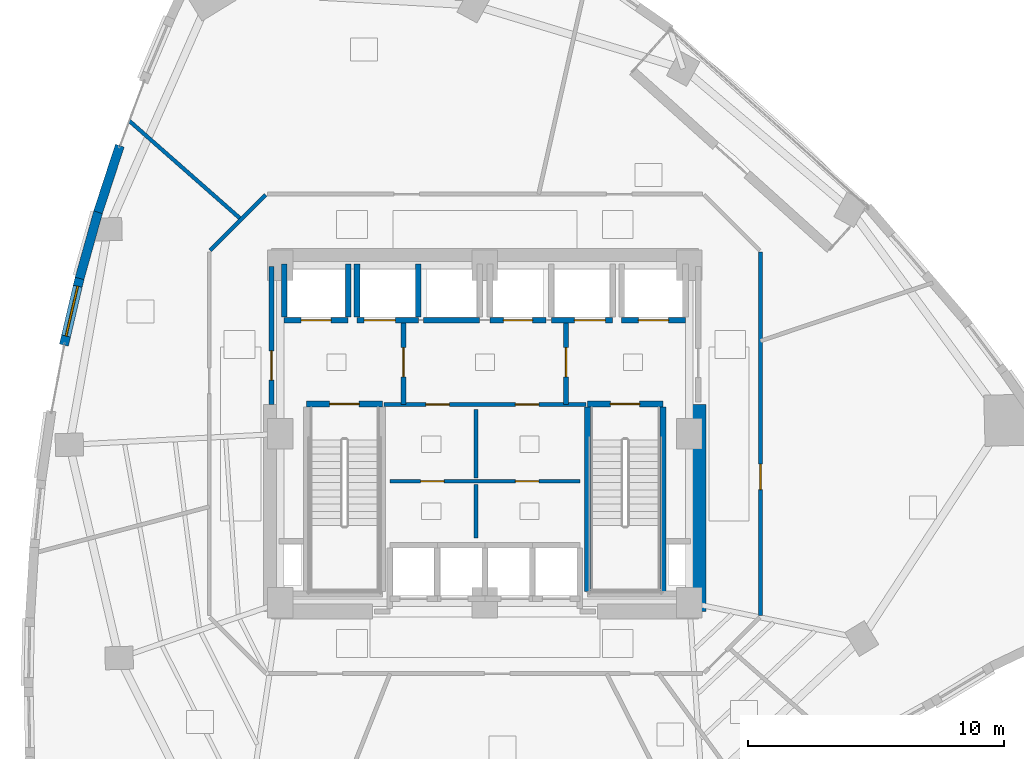
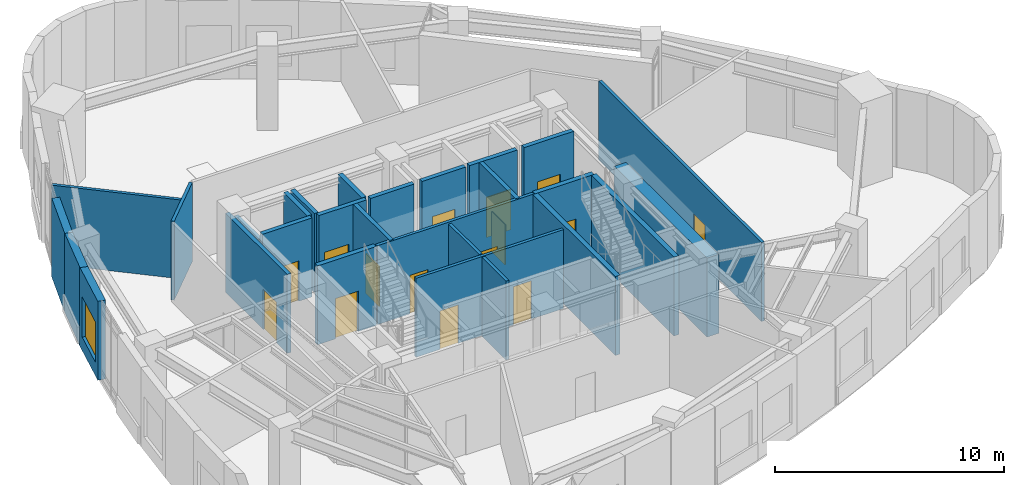
# One storey, part 14 of 19: 28 walls, 15 doors, 1 window, 16 openings.
"""IFC4 building model written with IfcOpenShell, lengths in metres."""

from ifc_helpers import new_model, si_unit, direction, frame, frame_2d, origin, place, context, subcontext, project, spatial, rectangle, extrude, material, layer, layer_set, type_object, element, fill, save


model = new_model("IFC4")

# Units and contexts
model_context = context("Model", 3, precision=1e-05, world=origin(), true_north=direction((0.0, 1.0)))
body_context = subcontext(model_context, "Body", "Model", "MODEL_VIEW")
ifc_project = project(units=[si_unit("LENGTHUNIT", "METRE"), si_unit("AREAUNIT", "SQUARE_METRE"), si_unit("VOLUMEUNIT", "CUBIC_METRE"), si_unit("PLANEANGLEUNIT", "RADIAN"), si_unit("MASSUNIT", "GRAM", prefix="KILO")], contexts=[model_context])

# Site, building, storey
site_placement = place(None, origin())
site = spatial("IfcSite", under=ifc_project, at=site_placement, CompositionType="ELEMENT")
building_placement = place(site_placement, origin())
building = spatial("IfcBuilding", under=site, at=building_placement, Name="Ndelora Gate Hotel", CompositionType="ELEMENT")
storey_placement = place(building_placement, frame((0.0, 0.0, 88.25)))
storey = spatial("IfcBuildingStorey", under=building, at=storey_placement, Name="L21", CompositionType="ELEMENT", Elevation=88.25)

# Walls
ifc_material_1 = material(Name="Clay Brick Masonry", Category="masonry")
ifc_layer_1 = layer(ifc_material_1, 0.360107421875)
ifc_layer_set_1 = layer_set([ifc_layer_1], Name="Clay Brick Masonry")
wall_type_1 = type_object("IfcWallType", Name="WL-BRICK-360", PredefinedType="SOLIDWALL", material=ifc_layer_set_1)
wall_1_placement = place(storey_placement, frame((-15.13330078125, 8.6689453125, 0.0), z_axis=(0.0, 0.0, 1.0), x_axis=(0.310162209331, 0.950683650802, 0.0)))
element("IfcWall", 1, at=wall_1_placement, inside=storey, type_object=wall_type_1, Name="L21 Tower Brick Pier-and-Spandrel Wall TWR-12", PredefinedType="SOLIDWALL", context=body_context, shape_type="SweptSolid", body=[
    extrude(rectangle(XDim=2.743896484375, YDim=0.360107421875, at=frame_2d((1.3720703125, 0.0))), origin(), (0.0, 0.0, 1.0), 4.2099609375),
])
wall_2_placement = place(storey_placement, frame((-15.8564453125, 6.083740234375, 0.0), z_axis=(0.0, 0.0, 1.0), x_axis=(0.269729276569, 0.962936195893, 0.0)))
element("IfcWall", 2, at=wall_2_placement, inside=storey, type_object=wall_type_1, Name="L21 Tower Brick Pier-and-Spandrel Wall TWR-13", PredefinedType="SOLIDWALL", context=body_context, shape_type="SweptSolid", body=[
    extrude(rectangle(XDim=2.734375, YDim=0.360107421875, at=frame_2d((1.3671875, 0.0))), origin(), (0.0, 0.0, 1.0), 4.2099609375),
])

# Wall, opening, window
wall_3_placement = place(storey_placement, frame((-16.468017578125, 3.474853515625, 0.0), z_axis=(0.0, 0.0, 1.0), x_axis=(0.228620535592, 0.973515614002, 0.0)))
wall_3 = element("IfcWall", 3, at=wall_3_placement, inside=storey, type_object=wall_type_1, Name="L21 Tower Brick Pier-and-Spandrel Wall TWR-14", PredefinedType="SOLIDWALL", context=body_context, shape_type="SweptSolid", body=[
    extrude(rectangle(XDim=2.7294921875, YDim=0.360107421875, at=frame_2d((1.36474609375, 0.0))), origin(), (0.0, 0.0, 1.0), 4.2099609375),
])
opening_1_placement = place(wall_3_placement, frame((0.36474609375, 0.0, 0.719970703125)))
opening_1 = element("IfcOpeningElement", 4, at=opening_1_placement, cuts=wall_3, Name="Opening W05", PredefinedType="OPENING", context=body_context, shape_type="SweptSolid", body=[
    extrude(rectangle(XDim=2.0, YDim=2.14990234375, at=frame_2d((1.0, 1.074951171875))), frame((0.0, 0.18994140625, 0.0), z_axis=(0.0, -1.0, 0.0), x_axis=(1.0, 0.0, 0.0)), (0.0, 0.0, 1.0), 0.380126953125),
])
ifc_material_2 = material(Name="Insulated Low-E Double Glazing in Bronze Aluminium Frame", Category="aluminium")
window_type = type_object("IfcWindowType", Name="WN-SKY-2000", PartitioningType="SINGLE_PANEL", PredefinedType="WINDOW", material=ifc_material_2)
window_placement = place(opening_1_placement, origin())
window = element("IfcWindow", 5, at=window_placement, inside=storey, type_object=window_type, Name="L21 Deep-Set Brick-Pier Window W05", OverallHeight=2.14990234375, OverallWidth=2.0, PartitioningType="SINGLE_PANEL", PredefinedType="WINDOW", context=body_context, shape_type="SweptSolid", body=[
    extrude(rectangle(XDim=2.0, YDim=2.14990234375, at=frame_2d((1.0, 1.074951171875))), frame((0.0, 0.030029296875, 0.0), z_axis=(0.0, -1.0, 0.0), x_axis=(1.0, 0.0, 0.0)), (0.0, 0.0, 1.0), 0.06005859375),
])
fill(opening_1, window)

# Wall
ifc_material_3 = material(Name="Concrete C60/75", Category="concrete")
ifc_layer_2 = layer(ifc_material_3, 0.60009765625)
ifc_layer_set_2 = layer_set([ifc_layer_2], Name="Concrete C60/75")
wall_type_2 = type_object("IfcWallType", Name="WL-CORE-600", PredefinedType="SHEAR", material=ifc_layer_set_2)
wall_4_placement = place(storey_placement, frame((8.35009765625, -6.949951171875, 0.0), z_axis=(0.0, 0.0, 1.0), x_axis=(0.0, 1.0, 0.0)))
element("IfcWall", 6, at=wall_4_placement, inside=storey, type_object=wall_type_2, Name="L21 Core Shear Wall E", PredefinedType="SHEAR", context=body_context, shape_type="SweptSolid", body=[
    extrude(rectangle(XDim=8.099853515625, YDim=0.60009765625, at=frame_2d((4.0498046875, 0.0))), origin(), (0.0, 0.0, 1.0), 4.2099609375),
])

# Wall, opening, door
ifc_material_4 = material(Name="Concrete C40/50", Category="concrete")
ifc_layer_3 = layer(ifc_material_4, 0.199951171875)
ifc_layer_set_3 = layer_set([ifc_layer_3], Name="Concrete C40/50")
wall_type_3 = type_object("IfcWallType", Name="WL-FIRE-200", PredefinedType="PARTITIONING", material=ifc_layer_set_3)
wall_5_placement = place(storey_placement, frame((-3.179931640625, 1.14990234375, 0.0), z_axis=(0.0, 0.0, 1.0), x_axis=(0.0, 1.0, 0.0)))
wall_5 = element("IfcWall", 7, at=wall_5_placement, inside=storey, type_object=wall_type_3, Name="L21 Interior Wall IW-2", PredefinedType="PARTITIONING", context=body_context, shape_type="SweptSolid", body=[
    extrude(rectangle(XDim=3.300048828125, YDim=0.199951171875, at=frame_2d((1.64990234375, 0.0))), origin(), (0.0, 0.0, 1.0), 4.2099609375),
])
opening_2_placement = place(wall_5_placement, frame((1.080078125, 0.0, 0.0)))
opening_2 = element("IfcOpeningElement", 8, at=opening_2_placement, cuts=wall_5, Name="Opening FD1", PredefinedType="OPENING", context=body_context, shape_type="SweptSolid", body=[
    extrude(rectangle(XDim=1.14990234375, YDim=2.14990234375, at=frame_2d((0.574951171875, 1.074951171875))), frame((0.0, 0.10986328125, 0.0), z_axis=(0.0, -1.0, 0.0), x_axis=(1.0, 0.0, 0.0)), (0.0, 0.0, 1.0), 0.219970703125),
])
ifc_material_5 = material(Name="Fire-Rated Timber-Veneer Steel Core", Category="steel")
door_type_1 = type_object("IfcDoorType", Name="DR-FD60", OperationType="SINGLE_SWING_LEFT", PredefinedType="DOOR", material=ifc_material_5)
door_1_placement = place(opening_2_placement, origin())
door_1 = element("IfcDoor", 9, at=door_1_placement, inside=storey, type_object=door_type_1, Name="L21 Firefighting Lobby West Door", OperationType="SINGLE_SWING_RIGHT", OverallHeight=2.14990234375, OverallWidth=1.14990234375, PredefinedType="DOOR", context=body_context, shape_type="SweptSolid", body=[
    extrude(rectangle(XDim=1.14990234375, YDim=2.14990234375, at=frame_2d((0.574951171875, 1.074951171875))), frame((0.0, 0.02490234375, 0.0), z_axis=(0.0, -1.0, 0.0), x_axis=(1.0, 0.0, 0.0)), (0.0, 0.0, 1.0), 0.050048828125),
])
fill(opening_2, door_1)

wall_6_placement = place(storey_placement, frame((3.179931640625, 1.14990234375, 0.0), z_axis=(0.0, 0.0, 1.0), x_axis=(0.0, 1.0, 0.0)))
wall_6 = element("IfcWall", 10, at=wall_6_placement, inside=storey, type_object=wall_type_3, Name="L21 Interior Wall IW-2", PredefinedType="PARTITIONING", context=body_context, shape_type="SweptSolid", body=[
    extrude(rectangle(XDim=3.300048828125, YDim=0.199951171875, at=frame_2d((1.64990234375, 0.0))), origin(), (0.0, 0.0, 1.0), 4.2099609375),
])
opening_3_placement = place(wall_6_placement, frame((1.080078125, 0.0, 0.0)))
opening_3 = element("IfcOpeningElement", 11, at=opening_3_placement, cuts=wall_6, Name="Opening FD1", PredefinedType="OPENING", context=body_context, shape_type="SweptSolid", body=[
    extrude(rectangle(XDim=1.14990234375, YDim=2.14990234375, at=frame_2d((0.574951171875, 1.074951171875))), frame((0.0, 0.10986328125, 0.0), z_axis=(0.0, -1.0, 0.0), x_axis=(1.0, 0.0, 0.0)), (0.0, 0.0, 1.0), 0.219970703125),
])
door_2_placement = place(opening_3_placement, origin())
door_2 = element("IfcDoor", 12, at=door_2_placement, inside=storey, type_object=door_type_1, Name="L21 Firefighting Lobby East Door", OperationType="SINGLE_SWING_LEFT", OverallHeight=2.14990234375, OverallWidth=1.14990234375, PredefinedType="DOOR", context=body_context, shape_type="SweptSolid", body=[
    extrude(rectangle(XDim=1.14990234375, YDim=2.14990234375, at=frame_2d((0.574951171875, 1.074951171875))), frame((0.0, 0.02490234375, 0.0), z_axis=(0.0, -1.0, 0.0), x_axis=(1.0, 0.0, 0.0)), (0.0, 0.0, 1.0), 0.050048828125),
])
fill(opening_3, door_2)

wall_7_placement = place(storey_placement, frame((-8.35009765625, 1.14990234375, 0.0), z_axis=(0.0, 0.0, 1.0), x_axis=(0.0, 1.0, 0.0)))
wall_7 = element("IfcWall", 13, at=wall_7_placement, inside=storey, type_object=wall_type_3, Name="L21 Interior Wall IW-2", PredefinedType="PARTITIONING", context=body_context, shape_type="SweptSolid", body=[
    extrude(rectangle(XDim=5.400146484375, YDim=0.199951171875, at=frame_2d((2.7001953125, 0.0))), origin(), (0.0, 0.0, 1.0), 4.2099609375),
])
opening_4_placement = place(wall_7_placement, frame((0.949951171875, 0.0, 0.0)))
opening_4 = element("IfcOpeningElement", 14, at=opening_4_placement, cuts=wall_7, Name="Opening FD1", PredefinedType="OPENING", context=body_context, shape_type="SweptSolid", body=[
    extrude(rectangle(XDim=1.14990234375, YDim=2.14990234375, at=frame_2d((0.574951171875, 1.074951171875))), frame((0.0, 0.10986328125, 0.0), z_axis=(0.0, -1.0, 0.0), x_axis=(1.0, 0.0, 0.0)), (0.0, 0.0, 1.0), 0.219970703125),
])
door_3_placement = place(opening_4_placement, origin())
door_3 = element("IfcDoor", 15, at=door_3_placement, inside=storey, type_object=door_type_1, Name="L21 Firefighting Lobby West Corridor Door", OperationType="SINGLE_SWING_LEFT", OverallHeight=2.14990234375, OverallWidth=1.14990234375, PredefinedType="DOOR", context=body_context, shape_type="SweptSolid", body=[
    extrude(rectangle(XDim=1.14990234375, YDim=2.14990234375, at=frame_2d((0.574951171875, 1.074951171875))), frame((0.0, 0.02490234375, 0.0), z_axis=(0.0, -1.0, 0.0), x_axis=(1.0, 0.0, 0.0)), (0.0, 0.0, 1.0), 0.050048828125),
])
fill(opening_4, door_3)

# Wall, openings, doors
ifc_material_6 = material(Name="Fire-Rated Gypsum Stud Partition", Category="gypsum")
ifc_layer_4 = layer(ifc_material_6, 0.14990234375)
ifc_layer_set_4 = layer_set([ifc_layer_4], Name="Fire-Rated Gypsum Stud Partition")
wall_type_4 = type_object("IfcWallType", Name="WL-PART-150", PredefinedType="PARTITIONING", material=ifc_layer_set_4)
wall_8_placement = place(storey_placement, frame((3.949951171875, 1.14990234375, 0.0), z_axis=(0.0, 0.0, 1.0), x_axis=(-1.0, 0.0, 0.0)))
wall_8 = element("IfcWall", 16, at=wall_8_placement, inside=storey, type_object=wall_type_4, Name="L21 Interior Wall IW-5", PredefinedType="PARTITIONING", context=body_context, shape_type="SweptSolid", body=[
    extrude(rectangle(XDim=7.89990234375, YDim=0.14990234375, at=frame_2d((3.949951171875, 0.0))), origin(), (0.0, 0.0, 1.0), 4.2099609375),
])
opening_5_placement = place(wall_8_placement, frame((5.340087890625, 0.0, 0.0)))
opening_5 = element("IfcOpeningElement", 17, at=opening_5_placement, cuts=wall_8, Name="Opening D04", PredefinedType="OPENING", context=body_context, shape_type="SweptSolid", body=[
    extrude(rectangle(XDim=0.919921875, YDim=2.050048828125, at=frame_2d((0.4599609375, 1.02490234375))), frame((0.0, 0.0849609375, 0.0), z_axis=(0.0, -1.0, 0.0), x_axis=(1.0, 0.0, 0.0)), (0.0, 0.0, 1.0), 0.169921875),
])
opening_6_placement = place(wall_8_placement, frame((1.840087890625, 0.0, 0.0)))
opening_6 = element("IfcOpeningElement", 18, at=opening_6_placement, cuts=wall_8, Name="Opening D04", PredefinedType="OPENING", context=body_context, shape_type="SweptSolid", body=[
    extrude(rectangle(XDim=0.919921875, YDim=2.050048828125, at=frame_2d((0.4599609375, 1.02490234375))), frame((0.0, 0.0849609375, 0.0), z_axis=(0.0, -1.0, 0.0), x_axis=(1.0, 0.0, 0.0)), (0.0, 0.0, 1.0), 0.169921875),
])
ifc_material_7 = material(Name="Painted Steel Core Service Door", Category="steel")
door_type_2 = type_object("IfcDoorType", Name="DR-SER-920", OperationType="SINGLE_SWING_LEFT", PredefinedType="DOOR", material=ifc_material_7)
door_4_placement = place(opening_5_placement, origin())
door_4 = element("IfcDoor", 19, at=door_4_placement, inside=storey, type_object=door_type_2, Name="L21 Core Electrical Closet Door", OperationType="SINGLE_SWING_LEFT", OverallHeight=2.050048828125, OverallWidth=0.919921875, PredefinedType="DOOR", context=body_context, shape_type="SweptSolid", body=[
    extrude(rectangle(XDim=0.919921875, YDim=2.050048828125, at=frame_2d((0.4599609375, 1.02490234375))), frame((0.0, 0.02490234375, 0.0), z_axis=(0.0, -1.0, 0.0), x_axis=(1.0, 0.0, 0.0)), (0.0, 0.0, 1.0), 0.050048828125),
])
fill(opening_5, door_4)
door_5_placement = place(opening_6_placement, origin())
door_5 = element("IfcDoor", 20, at=door_5_placement, inside=storey, type_object=door_type_2, Name="L21 Comms Patching Store Door", OperationType="SINGLE_SWING_RIGHT", OverallHeight=2.050048828125, OverallWidth=0.919921875, PredefinedType="DOOR", context=body_context, shape_type="SweptSolid", body=[
    extrude(rectangle(XDim=0.919921875, YDim=2.050048828125, at=frame_2d((0.4599609375, 1.02490234375))), frame((0.0, 0.02490234375, 0.0), z_axis=(0.0, -1.0, 0.0), x_axis=(1.0, 0.0, 0.0)), (0.0, 0.0, 1.0), 0.050048828125),
])
fill(opening_6, door_5)

wall_9_placement = place(storey_placement, frame((-3.719970703125, -1.85009765625, 0.0), z_axis=(0.0, 0.0, 1.0), x_axis=(1.0, 0.0, 0.0)))
wall_9 = element("IfcWall", 21, at=wall_9_placement, inside=storey, type_object=wall_type_4, Name="L21 Interior Wall IW-5", PredefinedType="PARTITIONING", context=body_context, shape_type="SweptSolid", body=[
    extrude(rectangle(XDim=7.43994140625, YDim=0.14990234375, at=frame_2d((3.719970703125, 0.0))), origin(), (0.0, 0.0, 1.0), 4.2099609375),
])
opening_7_placement = place(wall_9_placement, frame((1.2099609375, 0.0, 0.0)))
opening_7 = element("IfcOpeningElement", 22, at=opening_7_placement, cuts=wall_9, Name="Opening D04", PredefinedType="OPENING", context=body_context, shape_type="SweptSolid", body=[
    extrude(rectangle(XDim=0.919921875, YDim=2.050048828125, at=frame_2d((0.4599609375, 1.02490234375))), frame((0.0, 0.0849609375, 0.0), z_axis=(0.0, -1.0, 0.0), x_axis=(1.0, 0.0, 0.0)), (0.0, 0.0, 1.0), 0.169921875),
])
opening_8_placement = place(wall_9_placement, frame((4.909912109375, 0.0, 0.0)))
opening_8 = element("IfcOpeningElement", 23, at=opening_8_placement, cuts=wall_9, Name="Opening D04", PredefinedType="OPENING", context=body_context, shape_type="SweptSolid", body=[
    extrude(rectangle(XDim=0.919921875, YDim=2.050048828125, at=frame_2d((0.4599609375, 1.02490234375))), frame((0.0, 0.0849609375, 0.0), z_axis=(0.0, -1.0, 0.0), x_axis=(1.0, 0.0, 0.0)), (0.0, 0.0, 1.0), 0.169921875),
])
door_6_placement = place(opening_7_placement, origin())
door_6 = element("IfcDoor", 24, at=door_6_placement, inside=storey, type_object=door_type_2, Name="L21 Core Service Internal Door", OperationType="SINGLE_SWING_LEFT", OverallHeight=2.050048828125, OverallWidth=0.919921875, PredefinedType="DOOR", context=body_context, shape_type="SweptSolid", body=[
    extrude(rectangle(XDim=0.919921875, YDim=2.050048828125, at=frame_2d((0.4599609375, 1.02490234375))), frame((0.0, 0.02490234375, 0.0), z_axis=(0.0, -1.0, 0.0), x_axis=(1.0, 0.0, 0.0)), (0.0, 0.0, 1.0), 0.050048828125),
])
fill(opening_7, door_6)
door_7_placement = place(opening_8_placement, origin())
door_7 = element("IfcDoor", 25, at=door_7_placement, inside=storey, type_object=door_type_2, Name="L21 Core Service Internal Door", OperationType="SINGLE_SWING_LEFT", OverallHeight=2.050048828125, OverallWidth=0.919921875, PredefinedType="DOOR", context=body_context, shape_type="SweptSolid", body=[
    extrude(rectangle(XDim=0.919921875, YDim=2.050048828125, at=frame_2d((0.4599609375, 1.02490234375))), frame((0.0, 0.02490234375, 0.0), z_axis=(0.0, -1.0, 0.0), x_axis=(1.0, 0.0, 0.0)), (0.0, 0.0, 1.0), 0.050048828125),
])
fill(opening_8, door_7)

# Walls
wall_10_placement = place(storey_placement, frame((-0.35009765625, -4.080078125, 0.0), z_axis=(0.0, 0.0, 1.0), x_axis=(0.0, 1.0, 0.0)))
element("IfcWall", 26, at=wall_10_placement, inside=storey, type_object=wall_type_4, Name="L21 Interior Wall IW-5", PredefinedType="PARTITIONING", context=body_context, shape_type="SweptSolid", body=[
    extrude(rectangle(XDim=2.110107421875, YDim=0.14990234375, at=frame_2d((1.05517578125, 0.0))), origin(), (0.0, 0.0, 1.0), 4.2099609375),
])
wall_11_placement = place(storey_placement, frame((-0.35009765625, -1.72998046875, 0.0), z_axis=(0.0, 0.0, 1.0), x_axis=(0.0, 1.0, 0.0)))
element("IfcWall", 27, at=wall_11_placement, inside=storey, type_object=wall_type_4, Name="L21 Interior Wall IW-5", PredefinedType="PARTITIONING", context=body_context, shape_type="SweptSolid", body=[
    extrude(rectangle(XDim=2.679931640625, YDim=0.14990234375, at=frame_2d((1.33984375, 0.0))), origin(), (0.0, 0.0, 1.0), 4.2099609375),
])

# Wall, opening, door
wall_12_placement = place(storey_placement, frame((10.780029296875, 7.110107421875, 0.0), z_axis=(0.0, 0.0, 1.0), x_axis=(0.0, -1.0, 0.0)))
wall_12 = element("IfcWall", 28, at=wall_12_placement, inside=storey, type_object=wall_type_4, Name="L21 Interior Wall IW-5", PredefinedType="PARTITIONING", context=body_context, shape_type="SweptSolid", body=[
    extrude(rectangle(XDim=14.22021484375, YDim=0.14990234375, at=frame_2d((7.110107421875, 0.0))), origin(), (0.0, 0.0, 1.0), 4.2099609375),
])
opening_9_placement = place(wall_12_placement, frame((8.29248046875, 0.0, 0.0)))
opening_9 = element("IfcOpeningElement", 29, at=opening_9_placement, cuts=wall_12, Name="Opening D01", PredefinedType="OPENING", context=body_context, shape_type="SweptSolid", body=[
    extrude(rectangle(XDim=1.0, YDim=2.14990234375, at=frame_2d((0.5, 1.074951171875))), frame((0.0, 0.0849609375, 0.0), z_axis=(0.0, -1.0, 0.0), x_axis=(1.0, 0.0, 0.0)), (0.0, 0.0, 1.0), 0.169921875),
])
ifc_material_8 = material(Name="Acoustic Hardwood Guest Entrance Door", Category="wood")
door_type_3 = type_object("IfcDoorType", Name="DR-COR-1000", OperationType="SINGLE_SWING_LEFT", PredefinedType="DOOR", material=ifc_material_8)
door_8_placement = place(opening_9_placement, origin())
door_8 = element("IfcDoor", 30, at=door_8_placement, inside=storey, type_object=door_type_3, Name="L21 Sky Transfer Reception Salon Entrance Door", OperationType="SINGLE_SWING_RIGHT", OverallHeight=2.14990234375, OverallWidth=1.0, PredefinedType="DOOR", context=body_context, shape_type="SweptSolid", body=[
    extrude(rectangle(XDim=1.0, YDim=2.14990234375, at=frame_2d((0.5, 1.074951171875))), frame((0.0, 0.02490234375, 0.0), z_axis=(0.0, -1.0, 0.0), x_axis=(1.0, 0.0, 0.0)), (0.0, 0.0, 1.0), 0.050048828125),
])
fill(opening_9, door_8)

# Walls
wall_13_placement = place(storey_placement, frame((-10.751708984375, 7.17822265625, 0.0), z_axis=(0.0, 0.0, 1.0), x_axis=(0.707067066127, 0.707146494016, 0.0)))
element("IfcWall", 31, at=wall_13_placement, inside=storey, type_object=wall_type_4, Name="L21 Interior Wall IW-5", PredefinedType="PARTITIONING", context=body_context, shape_type="SweptSolid", body=[
    extrude(rectangle(XDim=3.07373046875, YDim=0.14990234375, at=frame_2d((1.536865234375, 0.0))), origin(), (0.0, 0.0, 1.0), 4.2099609375),
])
wall_14_placement = place(storey_placement, frame((-9.534912109375, 8.39501953125, 0.0), z_axis=(0.0, 0.0, 1.0), x_axis=(-0.750568336122, 0.660792836531, 0.0)))
element("IfcWall", 32, at=wall_14_placement, inside=storey, type_object=wall_type_4, Name="L21 Interior Wall IW-5", PredefinedType="PARTITIONING", context=body_context, shape_type="SweptSolid", body=[
    extrude(rectangle(XDim=5.838623046875, YDim=0.14990234375, at=frame_2d((2.91943359375, 0.0))), origin(), (0.0, 0.0, 1.0), 4.2099609375),
])

# Wall, opening, door
ifc_layer_5 = layer(ifc_material_4, 0.219970703125)
ifc_layer_set_5 = layer_set([ifc_layer_5], Name="Concrete C40/50")
wall_type_5 = type_object("IfcWallType", Name="WL-SHAFT-220", PredefinedType="PARTITIONING", material=ifc_layer_set_5)
wall_15_placement = place(storey_placement, frame((-7.85009765625, 4.449951171875, 0.0), z_axis=(0.0, 0.0, 1.0), x_axis=(1.0, 0.0, 0.0)))
wall_15 = element("IfcWall", 33, at=wall_15_placement, inside=storey, type_object=wall_type_5, Name="L21 Interior Wall IW-1", PredefinedType="PARTITIONING", context=body_context, shape_type="SweptSolid", body=[
    extrude(rectangle(XDim=2.5, YDim=0.219970703125, at=frame_2d((1.25, 0.0))), origin(), (0.0, 0.0, 1.0), 4.2099609375),
])
opening_10_placement = place(wall_15_placement, frame((0.659912109375, 0.0, 0.0)))
opening_10 = element("IfcOpeningElement", 34, at=opening_10_placement, cuts=wall_15, Name="Opening LD5", PredefinedType="OPENING", context=body_context, shape_type="SweptSolid", body=[
    extrude(rectangle(XDim=1.179931640625, YDim=2.14990234375, at=frame_2d((0.58984375, 1.074951171875))), frame((0.0, 0.1201171875, 0.0), z_axis=(0.0, -1.0, 0.0), x_axis=(1.0, 0.0, 0.0)), (0.0, 0.0, 1.0), 0.239990234375),
])
ifc_material_9 = material(Name="Firefighting Lift Stainless Sliding Landing Door", Category="metal")
door_type_4 = type_object("IfcDoorType", Name="DR-LD5", OperationType="DOUBLE_DOOR_SLIDING", PredefinedType="DOOR", material=ifc_material_9)
door_9_placement = place(opening_10_placement, origin())
door_9 = element("IfcDoor", 35, at=door_9_placement, inside=storey, type_object=door_type_4, Name="L21 Lift Landing Sliding Door FFL1", OperationType="DOUBLE_DOOR_SLIDING", OverallHeight=2.14990234375, OverallWidth=1.179931640625, PredefinedType="DOOR", context=body_context, shape_type="SweptSolid", body=[
    extrude(rectangle(XDim=1.179931640625, YDim=2.14990234375, at=frame_2d((0.58984375, 1.074951171875))), frame((0.0, 0.02490234375, 0.0), z_axis=(0.0, -1.0, 0.0), x_axis=(1.0, 0.0, 0.0)), (0.0, 0.0, 1.0), 0.050048828125),
])
fill(opening_10, door_9)

# Walls
wall_16_placement = place(storey_placement, frame((-7.85009765625, 4.570068359375, 0.0), z_axis=(0.0, 0.0, 1.0), x_axis=(0.0, 1.0, 0.0)))
element("IfcWall", 36, at=wall_16_placement, inside=storey, type_object=wall_type_5, Name="L21 Interior Wall IW-1", PredefinedType="PARTITIONING", context=body_context, shape_type="SweptSolid", body=[
    extrude(rectangle(XDim=2.079833984375, YDim=0.219970703125, at=frame_2d((1.0400390625, 0.0))), origin(), (0.0, 0.0, 1.0), 3.830078125),
])
wall_17_placement = place(storey_placement, frame((-5.35009765625, 4.570068359375, 0.0), z_axis=(0.0, 0.0, 1.0), x_axis=(0.0, 1.0, 0.0)))
element("IfcWall", 37, at=wall_17_placement, inside=storey, type_object=wall_type_5, Name="L21 Interior Wall IW-1", PredefinedType="PARTITIONING", context=body_context, shape_type="SweptSolid", body=[
    extrude(rectangle(XDim=2.079833984375, YDim=0.219970703125, at=frame_2d((1.0400390625, 0.0))), origin(), (0.0, 0.0, 1.0), 4.2099609375),
])

# Wall, opening, door
wall_18_placement = place(storey_placement, frame((5.35009765625, 4.449951171875, 0.0), z_axis=(0.0, 0.0, 1.0), x_axis=(1.0, 0.0, 0.0)))
wall_18 = element("IfcWall", 38, at=wall_18_placement, inside=storey, type_object=wall_type_5, Name="L21 Interior Wall IW-1", PredefinedType="PARTITIONING", context=body_context, shape_type="SweptSolid", body=[
    extrude(rectangle(XDim=2.5, YDim=0.219970703125, at=frame_2d((1.25, 0.0))), origin(), (0.0, 0.0, 1.0), 4.2099609375),
])
opening_11_placement = place(wall_18_placement, frame((0.659912109375, 0.0, 0.0)))
opening_11 = element("IfcOpeningElement", 39, at=opening_11_placement, cuts=wall_18, Name="Opening LD5", PredefinedType="OPENING", context=body_context, shape_type="SweptSolid", body=[
    extrude(rectangle(XDim=1.179931640625, YDim=2.14990234375, at=frame_2d((0.58984375, 1.074951171875))), frame((0.0, 0.1201171875, 0.0), z_axis=(0.0, -1.0, 0.0), x_axis=(1.0, 0.0, 0.0)), (0.0, 0.0, 1.0), 0.239990234375),
])
door_10_placement = place(opening_11_placement, origin())
door_10 = element("IfcDoor", 40, at=door_10_placement, inside=storey, type_object=door_type_4, Name="L21 Lift Landing Sliding Door FFL2", OperationType="DOUBLE_DOOR_SLIDING", OverallHeight=2.14990234375, OverallWidth=1.179931640625, PredefinedType="DOOR", context=body_context, shape_type="SweptSolid", body=[
    extrude(rectangle(XDim=1.179931640625, YDim=2.14990234375, at=frame_2d((0.58984375, 1.074951171875))), frame((0.0, 0.02490234375, 0.0), z_axis=(0.0, -1.0, 0.0), x_axis=(1.0, 0.0, 0.0)), (0.0, 0.0, 1.0), 0.050048828125),
])
fill(opening_11, door_10)

wall_19_placement = place(storey_placement, frame((-5.0, 4.449951171875, 0.0), z_axis=(0.0, 0.0, 1.0), x_axis=(1.0, 0.0, 0.0)))
wall_19 = element("IfcWall", 41, at=wall_19_placement, inside=storey, type_object=wall_type_5, Name="L21 Interior Wall IW-1", PredefinedType="PARTITIONING", context=body_context, shape_type="SweptSolid", body=[
    extrude(rectangle(XDim=2.39990234375, YDim=0.219970703125, at=frame_2d((1.199951171875, 0.0))), origin(), (0.0, 0.0, 1.0), 4.2099609375),
])
opening_12_placement = place(wall_19_placement, frame((0.280029296875, 0.0, 0.0)))
opening_12 = element("IfcOpeningElement", 42, at=opening_12_placement, cuts=wall_19, Name="Opening LD6", PredefinedType="OPENING", context=body_context, shape_type="SweptSolid", body=[
    extrude(rectangle(XDim=1.219970703125, YDim=2.14990234375, at=frame_2d((0.60986328125, 1.074951171875))), frame((0.0, 0.1201171875, 0.0), z_axis=(0.0, -1.0, 0.0), x_axis=(1.0, 0.0, 0.0)), (0.0, 0.0, 1.0), 0.239990234375),
])
ifc_material_10 = material(Name="Heavy-Duty Service Lift Sliding Landing Door", Category="wood")
door_type_5 = type_object("IfcDoorType", Name="DR-LD6", OperationType="DOUBLE_DOOR_SLIDING", PredefinedType="DOOR", material=ifc_material_10)
door_11_placement = place(opening_12_placement, origin())
door_11 = element("IfcDoor", 43, at=door_11_placement, inside=storey, type_object=door_type_5, Name="L21 Lift Landing Sliding Door SVL1", OperationType="DOUBLE_DOOR_SLIDING", OverallHeight=2.14990234375, OverallWidth=1.219970703125, PredefinedType="DOOR", context=body_context, shape_type="SweptSolid", body=[
    extrude(rectangle(XDim=1.219970703125, YDim=2.14990234375, at=frame_2d((0.60986328125, 1.074951171875))), frame((0.0, 0.02490234375, 0.0), z_axis=(0.0, -1.0, 0.0), x_axis=(1.0, 0.0, 0.0)), (0.0, 0.0, 1.0), 0.050048828125),
])
fill(opening_12, door_11)

# Walls
for number, where, z_axis, x_axis, name in (
    (44, (-5.0, 4.570068359375, 0.0), (0.0, 0.0, 1.0), (0.0, 1.0, 0.0), "L21 Interior Wall IW-1"),
    (45, (-2.60009765625, 4.570068359375, 0.0), (0.0, 0.0, 1.0), (0.0, 1.0, 0.0), "L21 Interior Wall IW-1"),
):
    element("IfcWall", number, at=place(storey_placement, frame(where, z_axis=z_axis, x_axis=x_axis)), inside=storey, type_object=wall_type_5, Name=name, PredefinedType="PARTITIONING", context=body_context, shape_type="SweptSolid", body=[
        extrude(rectangle(XDim=2.079833984375, YDim=0.219970703125, at=frame_2d((1.0400390625, 0.0))), origin(), (0.0, 0.0, 1.0), 4.2099609375),
    ])

# Wall, opening, door
wall_20_placement = place(storey_placement, frame((2.60009765625, 4.449951171875, 0.0), z_axis=(0.0, 0.0, 1.0), x_axis=(1.0, 0.0, 0.0)))
wall_20 = element("IfcWall", 46, at=wall_20_placement, inside=storey, type_object=wall_type_5, Name="L21 Interior Wall IW-1", PredefinedType="PARTITIONING", context=body_context, shape_type="SweptSolid", body=[
    extrude(rectangle(XDim=2.39990234375, YDim=0.219970703125, at=frame_2d((1.199951171875, 0.0))), origin(), (0.0, 0.0, 1.0), 4.2099609375),
])
opening_13_placement = place(wall_20_placement, frame((0.89990234375, 0.0, 0.0)))
opening_13 = element("IfcOpeningElement", 47, at=opening_13_placement, cuts=wall_20, Name="Opening LD6", PredefinedType="OPENING", context=body_context, shape_type="SweptSolid", body=[
    extrude(rectangle(XDim=1.219970703125, YDim=2.14990234375, at=frame_2d((0.60986328125, 1.074951171875))), frame((0.0, 0.1201171875, 0.0), z_axis=(0.0, -1.0, 0.0), x_axis=(1.0, 0.0, 0.0)), (0.0, 0.0, 1.0), 0.239990234375),
])
door_12_placement = place(opening_13_placement, origin())
door_12 = element("IfcDoor", 48, at=door_12_placement, inside=storey, type_object=door_type_5, Name="L21 Lift Landing Sliding Door SVL2", OperationType="DOUBLE_DOOR_SLIDING", OverallHeight=2.14990234375, OverallWidth=1.219970703125, PredefinedType="DOOR", context=body_context, shape_type="SweptSolid", body=[
    extrude(rectangle(XDim=1.219970703125, YDim=2.14990234375, at=frame_2d((0.60986328125, 1.074951171875))), frame((0.0, 0.02490234375, 0.0), z_axis=(0.0, -1.0, 0.0), x_axis=(1.0, 0.0, 0.0)), (0.0, 0.0, 1.0), 0.050048828125),
])
fill(opening_13, door_12)

# Wall
wall_21_placement = place(storey_placement, frame((-2.39990234375, 4.449951171875, 0.0), z_axis=(0.0, 0.0, 1.0), x_axis=(1.0, 0.0, 0.0)))
element("IfcWall", 49, at=wall_21_placement, inside=storey, type_object=wall_type_5, Name="L21 Interior Wall IW-1", PredefinedType="PARTITIONING", context=body_context, shape_type="SweptSolid", body=[
    extrude(rectangle(XDim=2.199951171875, YDim=0.219970703125, at=frame_2d((1.10009765625, 0.0))), origin(), (0.0, 0.0, 1.0), 4.2099609375),
])

# Wall, opening, door
wall_22_placement = place(storey_placement, frame((0.199951171875, 4.449951171875, 0.0), z_axis=(0.0, 0.0, 1.0), x_axis=(1.0, 0.0, 0.0)))
wall_22 = element("IfcWall", 50, at=wall_22_placement, inside=storey, type_object=wall_type_5, Name="L21 Interior Wall IW-1", PredefinedType="PARTITIONING", context=body_context, shape_type="SweptSolid", body=[
    extrude(rectangle(XDim=2.199951171875, YDim=0.219970703125, at=frame_2d((1.10009765625, 0.0))), origin(), (0.0, 0.0, 1.0), 4.2099609375),
])
opening_14_placement = place(wall_22_placement, frame((0.530029296875, 0.0, 0.0)))
opening_14 = element("IfcOpeningElement", 51, at=opening_14_placement, cuts=wall_22, Name="Opening LD4", PredefinedType="OPENING", context=body_context, shape_type="SweptSolid", body=[
    extrude(rectangle(XDim=1.139892578125, YDim=2.14990234375, at=frame_2d((0.56982421875, 1.074951171875))), frame((0.0, 0.1201171875, 0.0), z_axis=(0.0, -1.0, 0.0), x_axis=(1.0, 0.0, 0.0)), (0.0, 0.0, 1.0), 0.239990234375),
])
ifc_material_11 = material(Name="Brushed Bronze Stainless Lift Landing Door", Category="metal")
door_type_6 = type_object("IfcDoorType", Name="DR-LD4", OperationType="DOUBLE_DOOR_SLIDING", PredefinedType="DOOR", material=ifc_material_11)
door_13_placement = place(opening_14_placement, origin())
door_13 = element("IfcDoor", 52, at=door_13_placement, inside=storey, type_object=door_type_6, Name="L21 Lift Landing Sliding Door EX1", OperationType="DOUBLE_DOOR_SLIDING", OverallHeight=2.14990234375, OverallWidth=1.139892578125, PredefinedType="DOOR", context=body_context, shape_type="SweptSolid", body=[
    extrude(rectangle(XDim=1.139892578125, YDim=2.14990234375, at=frame_2d((0.56982421875, 1.074951171875))), frame((0.0, 0.02490234375, 0.0), z_axis=(0.0, -1.0, 0.0), x_axis=(1.0, 0.0, 0.0)), (0.0, 0.0, 1.0), 0.050048828125),
])
fill(opening_14, door_13)

ifc_material_12 = material(Name="Concrete C50/60", Category="concrete")
ifc_layer_6 = layer(ifc_material_12, 0.239990234375)
ifc_layer_set_6 = layer_set([ifc_layer_6], Name="Concrete C50/60")
wall_type_6 = type_object("IfcWallType", Name="WL-STAIR-240", PredefinedType="SHEAR", material=ifc_layer_set_6)
wall_23_placement = place(storey_placement, frame((-6.969970703125, 1.169921875, 0.0), z_axis=(0.0, 0.0, 1.0), x_axis=(1.0, 0.0, 0.0)))
wall_23 = element("IfcWall", 53, at=wall_23_placement, inside=storey, type_object=wall_type_6, Name="L21 Stair Core Shear Wall SW-ST", PredefinedType="SHEAR", context=body_context, shape_type="SweptSolid", body=[
    extrude(rectangle(XDim=2.9599609375, YDim=0.239990234375, at=frame_2d((1.47998046875, 0.0))), origin(), (0.0, 0.0, 1.0), 4.2099609375),
])
opening_15_placement = place(wall_23_placement, frame((0.89990234375, 0.0, 0.0)))
opening_15 = element("IfcOpeningElement", 54, at=opening_15_placement, cuts=wall_23, Name="Opening FD1", PredefinedType="OPENING", context=body_context, shape_type="SweptSolid", body=[
    extrude(rectangle(XDim=1.14990234375, YDim=2.14990234375, at=frame_2d((0.574951171875, 1.074951171875))), frame((0.0, 0.1298828125, 0.0), z_axis=(0.0, -1.0, 0.0), x_axis=(1.0, 0.0, 0.0)), (0.0, 0.0, 1.0), 0.260009765625),
])
door_14_placement = place(opening_15_placement, origin())
door_14 = element("IfcDoor", 55, at=door_14_placement, inside=storey, type_object=door_type_1, Name="L21 Exit Stair ST4 Door", OperationType="SINGLE_SWING_LEFT", OverallHeight=2.14990234375, OverallWidth=1.14990234375, PredefinedType="DOOR", context=body_context, shape_type="SweptSolid", body=[
    extrude(rectangle(XDim=1.14990234375, YDim=2.14990234375, at=frame_2d((0.574951171875, 1.074951171875))), frame((0.0, 0.02490234375, 0.0), z_axis=(0.0, -1.0, 0.0), x_axis=(1.0, 0.0, 0.0)), (0.0, 0.0, 1.0), 0.050048828125),
])
fill(opening_15, door_14)

# Walls
for number, where, z_axis, x_axis, name in (
    (56, (4.010009765625, -6.159912109375, 0.0), (0.0, 0.0, 1.0), (0.0, 1.0, 0.0), "L21 Stair Core Shear Wall SW-ST"),
    (57, (6.969970703125, -6.159912109375, 0.0), (0.0, 0.0, 1.0), (0.0, 1.0, 0.0), "L21 Stair Core Shear Wall SW-ST"),
):
    element("IfcWall", number, at=place(storey_placement, frame(where, z_axis=z_axis, x_axis=x_axis)), inside=storey, type_object=wall_type_6, Name=name, PredefinedType="SHEAR", context=body_context, shape_type="SweptSolid", body=[
        extrude(rectangle(XDim=7.219970703125, YDim=0.239990234375, at=frame_2d((3.60986328125, 0.0))), origin(), (0.0, 0.0, 1.0), 4.2099609375),
    ])

# Wall, opening, door
wall_24_placement = place(storey_placement, frame((4.010009765625, 1.169921875, 0.0), z_axis=(0.0, 0.0, 1.0), x_axis=(1.0, 0.0, 0.0)))
wall_24 = element("IfcWall", 58, at=wall_24_placement, inside=storey, type_object=wall_type_6, Name="L21 Stair Core Shear Wall SW-ST", PredefinedType="SHEAR", context=body_context, shape_type="SweptSolid", body=[
    extrude(rectangle(XDim=2.9599609375, YDim=0.239990234375, at=frame_2d((1.47998046875, 0.0))), origin(), (0.0, 0.0, 1.0), 4.2099609375),
])
opening_16_placement = place(wall_24_placement, frame((0.89990234375, 0.0, 0.0)))
opening_16 = element("IfcOpeningElement", 59, at=opening_16_placement, cuts=wall_24, Name="Opening FD1", PredefinedType="OPENING", context=body_context, shape_type="SweptSolid", body=[
    extrude(rectangle(XDim=1.14990234375, YDim=2.14990234375, at=frame_2d((0.574951171875, 1.074951171875))), frame((0.0, 0.1298828125, 0.0), z_axis=(0.0, -1.0, 0.0), x_axis=(1.0, 0.0, 0.0)), (0.0, 0.0, 1.0), 0.260009765625),
])
door_15_placement = place(opening_16_placement, origin())
door_15 = element("IfcDoor", 60, at=door_15_placement, inside=storey, type_object=door_type_1, Name="L21 Exit Stair ST5 Door", OperationType="SINGLE_SWING_RIGHT", OverallHeight=2.14990234375, OverallWidth=1.14990234375, PredefinedType="DOOR", context=body_context, shape_type="SweptSolid", body=[
    extrude(rectangle(XDim=1.14990234375, YDim=2.14990234375, at=frame_2d((0.574951171875, 1.074951171875))), frame((0.0, 0.02490234375, 0.0), z_axis=(0.0, -1.0, 0.0), x_axis=(1.0, 0.0, 0.0)), (0.0, 0.0, 1.0), 0.050048828125),
])
fill(opening_16, door_15)

save(model, "model.ifc")
